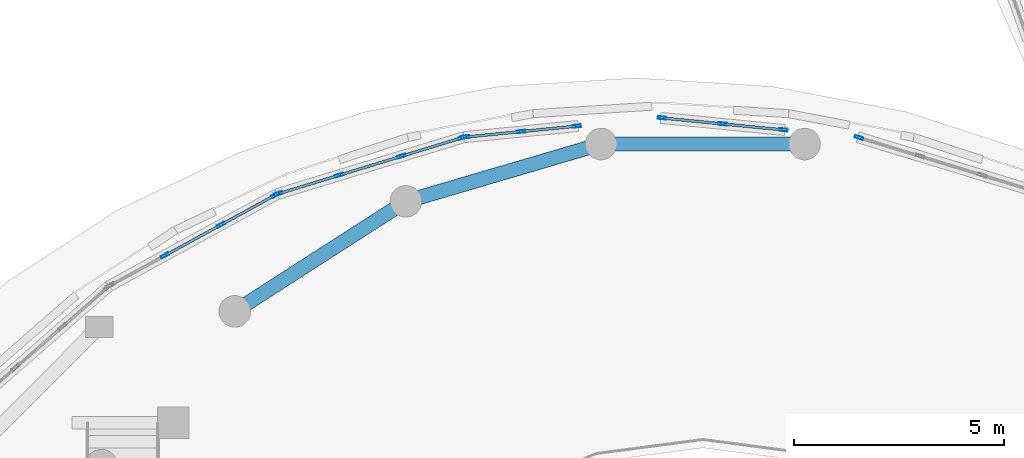
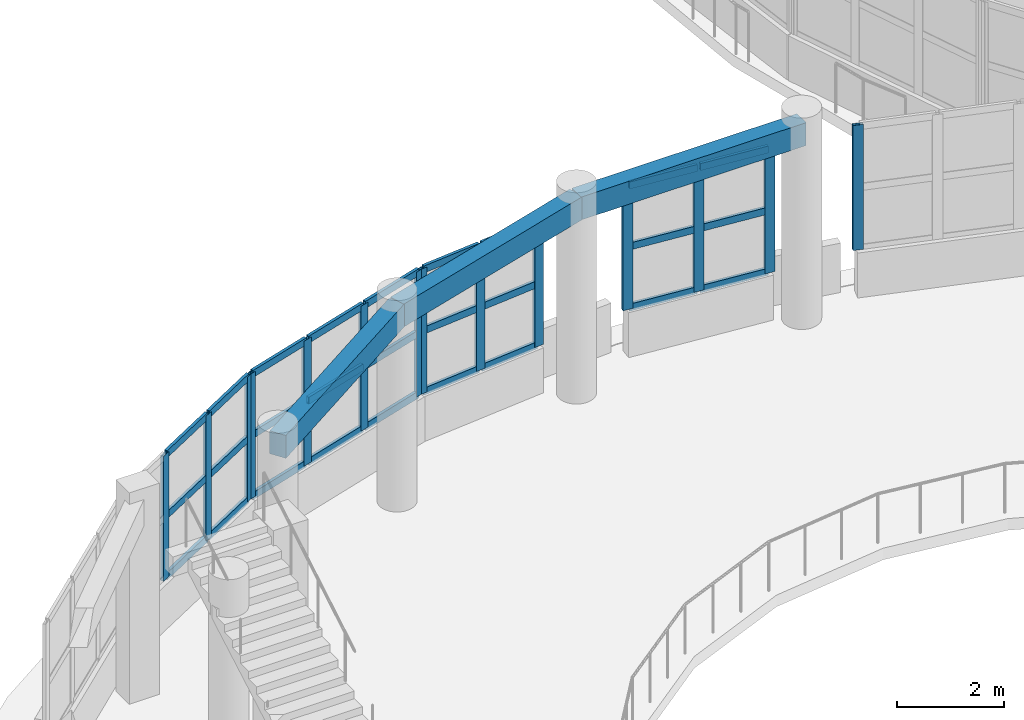
# One storey, part 33 of 98: 41 members, 3 beams, 5 elements without a shape of their own.
"""IFC4 building model written with IfcOpenShell, lengths in metres."""

from ifc_helpers import new_model, si_unit, direction, frame, origin, origin_2d, place, context, subcontext, project, spatial, rectangle, hollow_rectangle, extrude, material, layer, layer_set, material_profile, profile_set, type_object, element, aggregate, save


model = new_model("IFC4")

# Units and contexts
model_context = context("Model", 3, precision=1e-05, world=origin(), true_north=direction((0.0, 1.0)))
body_context = subcontext(model_context, "Body", "Model", "MODEL_VIEW")
ifc_project = project(units=[si_unit("LENGTHUNIT", "METRE"), si_unit("AREAUNIT", "SQUARE_METRE"), si_unit("VOLUMEUNIT", "CUBIC_METRE"), si_unit("PLANEANGLEUNIT", "RADIAN"), si_unit("MASSUNIT", "GRAM", prefix="KILO")], contexts=[model_context])

# Site, building, storey
site_placement = place(None, origin())
site = spatial("IfcSite", under=ifc_project, at=site_placement, CompositionType="ELEMENT")
building_placement = place(site_placement, origin())
building = spatial("IfcBuilding", under=site, at=building_placement, Name="Pelvatis Terrace Science Centre", CompositionType="ELEMENT")
storey_placement = place(building_placement, frame((0.0, 0.0, 5.39990234375)))
storey = spatial("IfcBuildingStorey", under=building, at=storey_placement, Name="L01", CompositionType="ELEMENT", Elevation=5.39990234375)

# Beams
ifc_material_1 = material(Name="Concrete C35/45", Category="concrete")
ifc_material_profile_1 = material_profile(ifc_material_1, rectangle(XDim=0.340087890625, YDim=0.52001953125, at=origin_2d()), Name="RC-BM 340x520")
ifc_profile_set_1 = profile_set([ifc_material_profile_1], Name="Concrete C35/45")
beam_type = type_object("IfcBeamType", Name="BM-RC-340x520", PredefinedType="BEAM", material=ifc_profile_set_1)
beam_placement = place(storey_placement, frame((80.41943359375, 71.427001953125, 4.280029296875), z_axis=(-1.0, 0.0, 0.0), x_axis=(0.0, -1.0, 0.0)))
element("IfcBeam", 1, at=beam_placement, inside=storey, type_object=beam_type, Name="Beam BM-L01-2572", PredefinedType="BEAM", context=body_context, shape_type="SweptSolid", body=[
    extrude(rectangle(XDim=0.340087890625, YDim=0.52001953125, at=origin_2d()), origin(), (0.0, 0.0, 1.0), 4.8388671875),
])
for number, where, z_axis, x_axis, name in (
    (2, (75.58056640625, 71.427001953125, 4.280029296875), (-0.959487536584, -0.281751073006, 0.0), (0.281751073006, -0.959487536584, 0.0), "Beam BM-L01-2573"),
    (3, (70.93798828125, 70.063720703125, 4.280029296875), (-0.841255517216, -0.540637729681, 0.0), (0.540637729681, -0.841255517216, 0.0), "Beam BM-L01-2574"),
):
    element("IfcBeam", number, at=place(storey_placement, frame(where, z_axis=z_axis, x_axis=x_axis)), inside=storey, type_object=beam_type, Name=name, PredefinedType="BEAM", context=body_context, shape_type="SweptSolid", body=[
        extrude(rectangle(XDim=0.340087890625, YDim=0.52001953125, at=origin_2d()), origin(), (0.0, 0.0, 1.0), 4.838623046875),
    ])

# Curtain wall, member
ifc_material_2 = material(Name="Bronze-anodised aluminium and laminated glass", Category="aluminium")
ifc_layer = layer(ifc_material_2, 0.199951171875)
ifc_layer_set = layer_set([ifc_layer], Name="Bronze-anodised aluminium and laminated glass")
curtain_wall_type = type_object("IfcCurtainWallType", Name="CW-RIBBON-B", PredefinedType="NOTDEFINED", material=ifc_layer_set)
curtain_wall_1_placement = place(storey_placement, origin())
curtain_wall_1 = element("IfcCurtainWall", 4, at=curtain_wall_1_placement, inside=storey, type_object=curtain_wall_type, Name="Ribbon curtain wall CW-062 (L01)", PredefinedType="NOTDEFINED")
ifc_material_3 = material(Name="Bronze-anodised aluminium 6063-T6", Category="aluminium")
ifc_material_profile_2 = material_profile(ifc_material_3, hollow_rectangle(XDim=0.06494140625, YDim=0.199951171875, WallThickness=0.00439453125, at=origin_2d()), Name="ALU-MUL 65x200")
ifc_profile_set_2 = profile_set([ifc_material_profile_2], Name="Bronze-anodised aluminium 6063-T6")
member_type_1 = type_object("IfcMemberType", Name="CWM-65x200", PredefinedType="MULLION", material=ifc_profile_set_2)
member_1_placement = place(storey_placement, frame((81.715087890625, 71.580322265625, 1.02001953125), z_axis=(0.0, 0.0, 1.0), x_axis=(-0.291750973492, -0.956494312302, 0.0)))
member_1 = element("IfcMember", 5, at=member_1_placement, type_object=member_type_1, Name="CW-062 mullion 4", PredefinedType="MULLION", context=body_context, shape_type="SweptSolid", body=[
    extrude(hollow_rectangle(XDim=0.06494140625, YDim=0.199951171875, WallThickness=0.00439453125, at=origin_2d()), origin(), (0.0, 0.0, 1.0), 2.840087890625),
])
aggregate(curtain_wall_1, [member_1])

# Curtain wall, members
curtain_wall_2_placement = place(storey_placement, origin())
curtain_wall_2 = element("IfcCurtainWall", 6, at=curtain_wall_2_placement, inside=storey, type_object=curtain_wall_type, Name="Ribbon curtain wall CW-063 (L01)", PredefinedType="NOTDEFINED")
member_2_placement = place(storey_placement, frame((79.917236328125, 71.763427734375, 1.02001953125), z_axis=(0.0, 0.0, 1.0), x_axis=(-0.097743100464, -0.995211679148, 0.0)))
member_2 = element("IfcMember", 7, at=member_2_placement, type_object=member_type_1, Name="CW-063 mullion 1", PredefinedType="MULLION", context=body_context, shape_type="SweptSolid", body=[
    extrude(hollow_rectangle(XDim=0.06494140625, YDim=0.199951171875, WallThickness=0.00439453125, at=origin_2d()), origin(), (0.0, 0.0, 1.0), 2.840087890625),
])
member_3_placement = place(storey_placement, frame((78.474853515625, 71.905029296875, 1.02001953125), z_axis=(0.0, 0.0, 1.0), x_axis=(-0.097743100464, -0.995211679148, 0.0)))
member_3 = element("IfcMember", 8, at=member_3_placement, type_object=member_type_1, Name="CW-063 mullion 2", PredefinedType="MULLION", context=body_context, shape_type="SweptSolid", body=[
    extrude(hollow_rectangle(XDim=0.06494140625, YDim=0.199951171875, WallThickness=0.00439453125, at=origin_2d()), origin(), (0.0, 0.0, 1.0), 2.840087890625),
])
member_4_placement = place(storey_placement, frame((77.0322265625, 72.046875, 1.02001953125), z_axis=(0.0, 0.0, 1.0), x_axis=(-0.097743100464, -0.995211679148, 0.0)))
member_4 = element("IfcMember", 9, at=member_4_placement, type_object=member_type_1, Name="CW-063 mullion 3", PredefinedType="MULLION", context=body_context, shape_type="SweptSolid", body=[
    extrude(hollow_rectangle(XDim=0.06494140625, YDim=0.199951171875, WallThickness=0.00439453125, at=origin_2d()), origin(), (0.0, 0.0, 1.0), 2.840087890625),
])

curtain_wall_3_placement = place(storey_placement, origin())
curtain_wall_3 = element("IfcCurtainWall", 10, at=curtain_wall_3_placement, inside=storey, type_object=curtain_wall_type, Name="Ribbon curtain wall CW-064 (L01)", PredefinedType="NOTDEFINED")
member_5_placement = place(storey_placement, frame((75.003662109375, 71.85400390625, 1.02001953125), z_axis=(0.0, 0.0, 1.0), x_axis=(0.097764703562, -0.995209557198, 0.0)))
member_5 = element("IfcMember", 11, at=member_5_placement, type_object=member_type_1, Name="CW-064 mullion 1", PredefinedType="MULLION", context=body_context, shape_type="SweptSolid", body=[
    extrude(hollow_rectangle(XDim=0.06494140625, YDim=0.199951171875, WallThickness=0.00439453125, at=origin_2d()), origin(), (0.0, 0.0, 1.0), 2.840087890625),
])
member_6_placement = place(storey_placement, frame((73.67578125, 71.723388671875, 1.02001953125), z_axis=(0.0, 0.0, 1.0), x_axis=(0.097764703562, -0.995209557198, 0.0)))
member_6 = element("IfcMember", 12, at=member_6_placement, type_object=member_type_1, Name="CW-064 mullion 2", PredefinedType="MULLION", context=body_context, shape_type="SweptSolid", body=[
    extrude(hollow_rectangle(XDim=0.06494140625, YDim=0.199951171875, WallThickness=0.00439453125, at=origin_2d()), origin(), (0.0, 0.0, 1.0), 2.840087890625),
])
member_7_placement = place(storey_placement, frame((72.34814453125, 71.593017578125, 1.02001953125), z_axis=(0.0, 0.0, 1.0), x_axis=(0.097764703562, -0.995209557198, 0.0)))
member_7 = element("IfcMember", 13, at=member_7_placement, type_object=member_type_1, Name="CW-064 mullion 3", PredefinedType="MULLION", context=body_context, shape_type="SweptSolid", body=[
    extrude(hollow_rectangle(XDim=0.06494140625, YDim=0.199951171875, WallThickness=0.00439453125, at=origin_2d()), origin(), (0.0, 0.0, 1.0), 2.840087890625),
])

curtain_wall_4_placement = place(storey_placement, origin())
curtain_wall_4 = element("IfcCurtainWall", 14, at=curtain_wall_4_placement, inside=storey, type_object=curtain_wall_type, Name="Ribbon curtain wall CW-065 (L01)", PredefinedType="NOTDEFINED")
member_8_placement = place(storey_placement, frame((72.284912109375, 71.580322265625, 1.02001953125), z_axis=(0.0, 0.0, 1.0), x_axis=(0.291750973492, -0.956494312302, 0.0)))
member_8 = element("IfcMember", 15, at=member_8_placement, type_object=member_type_1, Name="CW-065 mullion 1", PredefinedType="MULLION", context=body_context, shape_type="SweptSolid", body=[
    extrude(hollow_rectangle(XDim=0.06494140625, YDim=0.199951171875, WallThickness=0.00439453125, at=origin_2d()), origin(), (0.0, 0.0, 1.0), 2.840087890625),
])
member_9_placement = place(storey_placement, frame((70.832763671875, 71.137451171875, 1.02001953125), z_axis=(0.0, 0.0, 1.0), x_axis=(0.291750973492, -0.956494312302, 0.0)))
member_9 = element("IfcMember", 16, at=member_9_placement, type_object=member_type_1, Name="CW-065 mullion 2", PredefinedType="MULLION", context=body_context, shape_type="SweptSolid", body=[
    extrude(hollow_rectangle(XDim=0.06494140625, YDim=0.199951171875, WallThickness=0.00439453125, at=origin_2d()), origin(), (0.0, 0.0, 1.0), 2.840087890625),
])
member_10_placement = place(storey_placement, frame((69.349853515625, 70.68505859375, 1.02001953125), z_axis=(0.0, 0.0, 1.0), x_axis=(0.291750973492, -0.956494312302, 0.0)))
member_10 = element("IfcMember", 17, at=member_10_placement, type_object=member_type_1, Name="CW-065 mullion 3", PredefinedType="MULLION", context=body_context, shape_type="SweptSolid", body=[
    extrude(hollow_rectangle(XDim=0.06494140625, YDim=0.199951171875, WallThickness=0.00439453125, at=origin_2d()), origin(), (0.0, 0.0, 1.0), 2.840087890625),
])
member_11_placement = place(storey_placement, frame((67.897705078125, 70.2421875, 1.02001953125), z_axis=(0.0, 0.0, 1.0), x_axis=(0.291750973492, -0.956494312302, 0.0)))
member_11 = element("IfcMember", 18, at=member_11_placement, type_object=member_type_1, Name="CW-065 mullion 4", PredefinedType="MULLION", context=body_context, shape_type="SweptSolid", body=[
    extrude(hollow_rectangle(XDim=0.06494140625, YDim=0.199951171875, WallThickness=0.00439453125, at=origin_2d()), origin(), (0.0, 0.0, 1.0), 2.840087890625),
])

curtain_wall_5_placement = place(storey_placement, origin())
curtain_wall_5 = element("IfcCurtainWall", 19, at=curtain_wall_5_placement, inside=storey, type_object=curtain_wall_type, Name="Ribbon curtain wall CW-066 (L01)", PredefinedType="NOTDEFINED")
member_12_placement = place(storey_placement, frame((67.838134765625, 70.21728515625, 1.02001953125), z_axis=(0.0, 0.0, 1.0), x_axis=(0.480406389857, -0.877046008248, 0.0)))
member_12 = element("IfcMember", 20, at=member_12_placement, type_object=member_type_1, Name="CW-066 mullion 1", PredefinedType="MULLION", context=body_context, shape_type="SweptSolid", body=[
    extrude(hollow_rectangle(XDim=0.06494140625, YDim=0.199951171875, WallThickness=0.00439453125, at=origin_2d()), origin(), (0.0, 0.0, 1.0), 2.840087890625),
])
member_13_placement = place(storey_placement, frame((66.536376953125, 69.504150390625, 1.02001953125), z_axis=(0.0, 0.0, 1.0), x_axis=(0.480406389857, -0.877046008248, 0.0)))
member_13 = element("IfcMember", 21, at=member_13_placement, type_object=member_type_1, Name="CW-066 mullion 2", PredefinedType="MULLION", context=body_context, shape_type="SweptSolid", body=[
    extrude(hollow_rectangle(XDim=0.06494140625, YDim=0.199951171875, WallThickness=0.00439453125, at=origin_2d()), origin(), (0.0, 0.0, 1.0), 2.840087890625),
])
member_14_placement = place(storey_placement, frame((65.205810546875, 68.775390625, 1.02001953125), z_axis=(0.0, 0.0, 1.0), x_axis=(0.480406389857, -0.877046008248, 0.0)))
member_14 = element("IfcMember", 22, at=member_14_placement, type_object=member_type_1, Name="CW-066 mullion 3", PredefinedType="MULLION", context=body_context, shape_type="SweptSolid", body=[
    extrude(hollow_rectangle(XDim=0.06494140625, YDim=0.199951171875, WallThickness=0.00439453125, at=origin_2d()), origin(), (0.0, 0.0, 1.0), 2.840087890625),
])

# Member
ifc_material_4 = material(Name="Bronze-anodised aluminium 6063-T6", Category="aluminium")
ifc_material_profile_3 = material_profile(ifc_material_4, hollow_rectangle(XDim=0.06494140625, YDim=0.159912109375, WallThickness=0.00390625, at=origin_2d()), Name="ALU-TRN 65x160")
ifc_profile_set_3 = profile_set([ifc_material_profile_3], Name="Bronze-anodised aluminium 6063-T6")
member_type_2 = type_object("IfcMemberType", Name="CWT-65x160", PredefinedType="USERDEFINED", material=ifc_profile_set_3)
member_15_placement = place(storey_placement, frame((79.885009765625, 71.7666015625, 1.052490234375), z_axis=(-0.995217103069, 0.097687858806, 0.0), x_axis=(-0.097687858806, -0.995217103069, 0.0)))
member_15 = element("IfcMember", 23, at=member_15_placement, type_object=member_type_2, Name="CW-063 transom 1.1", ObjectType="TRANSOM", PredefinedType="USERDEFINED", context=body_context, shape_type="SweptSolid", body=[
    extrude(hollow_rectangle(XDim=0.06494140625, YDim=0.159912109375, WallThickness=0.00390625, at=origin_2d()), origin(), (0.0, 0.0, 1.0), 1.384521484375),
])

member_16_placement = place(storey_placement, frame((79.885009765625, 71.7666015625, 2.440185546875), z_axis=(-0.995217103069, 0.097687858806, 0.0), x_axis=(-0.097687858806, -0.995217103069, 0.0)))
member_16 = element("IfcMember", 24, at=member_16_placement, type_object=member_type_2, Name="CW-063 transom 1.2", ObjectType="TRANSOM", PredefinedType="USERDEFINED", context=body_context, shape_type="SweptSolid", body=[
    extrude(hollow_rectangle(XDim=0.06494140625, YDim=0.159912109375, WallThickness=0.00390625, at=origin_2d()), origin(), (0.0, 0.0, 1.0), 1.384521484375),
])

member_17_placement = place(storey_placement, frame((79.885009765625, 71.7666015625, 3.82763671875), z_axis=(-0.995217103069, 0.097687858806, 0.0), x_axis=(-0.097687858806, -0.995217103069, 0.0)))
member_17 = element("IfcMember", 25, at=member_17_placement, type_object=member_type_2, Name="CW-063 transom 1.3", ObjectType="TRANSOM", PredefinedType="USERDEFINED", context=body_context, shape_type="SweptSolid", body=[
    extrude(hollow_rectangle(XDim=0.06494140625, YDim=0.159912109375, WallThickness=0.00390625, at=origin_2d()), origin(), (0.0, 0.0, 1.0), 1.384521484375),
])

member_18_placement = place(storey_placement, frame((78.442626953125, 71.908447265625, 1.052490234375), z_axis=(-0.995217103069, 0.097687858806, 0.0), x_axis=(-0.097687858806, -0.995217103069, 0.0)))
member_18 = element("IfcMember", 26, at=member_18_placement, type_object=member_type_2, Name="CW-063 transom 2.1", ObjectType="TRANSOM", PredefinedType="USERDEFINED", context=body_context, shape_type="SweptSolid", body=[
    extrude(hollow_rectangle(XDim=0.06494140625, YDim=0.159912109375, WallThickness=0.00390625, at=origin_2d()), origin(), (0.0, 0.0, 1.0), 1.384521484375),
])

member_19_placement = place(storey_placement, frame((78.442626953125, 71.908447265625, 2.440185546875), z_axis=(-0.995217103069, 0.097687858806, 0.0), x_axis=(-0.097687858806, -0.995217103069, 0.0)))
member_19 = element("IfcMember", 27, at=member_19_placement, type_object=member_type_2, Name="CW-063 transom 2.2", ObjectType="TRANSOM", PredefinedType="USERDEFINED", context=body_context, shape_type="SweptSolid", body=[
    extrude(hollow_rectangle(XDim=0.06494140625, YDim=0.159912109375, WallThickness=0.00390625, at=origin_2d()), origin(), (0.0, 0.0, 1.0), 1.384521484375),
])

member_20_placement = place(storey_placement, frame((78.442626953125, 71.908447265625, 3.82763671875), z_axis=(-0.995217103069, 0.097687858806, 0.0), x_axis=(-0.097687858806, -0.995217103069, 0.0)))
member_20 = element("IfcMember", 28, at=member_20_placement, type_object=member_type_2, Name="CW-063 transom 2.3", ObjectType="TRANSOM", PredefinedType="USERDEFINED", context=body_context, shape_type="SweptSolid", body=[
    extrude(hollow_rectangle(XDim=0.06494140625, YDim=0.159912109375, WallThickness=0.00390625, at=origin_2d()), origin(), (0.0, 0.0, 1.0), 1.384521484375),
])

aggregate(curtain_wall_2, [member_2, member_3, member_4, member_15, member_16, member_17, member_18, member_19, member_20])

member_21_placement = place(storey_placement, frame((74.97119140625, 71.850830078125, 1.052490234375), z_axis=(-0.99519403066, -0.097922629346, 0.0), x_axis=(0.097922629346, -0.99519403066, 0.0)))
member_21 = element("IfcMember", 29, at=member_21_placement, type_object=member_type_2, Name="CW-064 transom 1.1", ObjectType="TRANSOM", PredefinedType="USERDEFINED", context=body_context, shape_type="SweptSolid", body=[
    extrude(hollow_rectangle(XDim=0.06494140625, YDim=0.159912109375, WallThickness=0.00390625, at=origin_2d()), origin(), (0.0, 0.0, 1.0), 1.26904296875),
])

member_22_placement = place(storey_placement, frame((74.97119140625, 71.850830078125, 2.440185546875), z_axis=(-0.99519403066, -0.097922629346, 0.0), x_axis=(0.097922629346, -0.99519403066, 0.0)))
member_22 = element("IfcMember", 30, at=member_22_placement, type_object=member_type_2, Name="CW-064 transom 1.2", ObjectType="TRANSOM", PredefinedType="USERDEFINED", context=body_context, shape_type="SweptSolid", body=[
    extrude(hollow_rectangle(XDim=0.06494140625, YDim=0.159912109375, WallThickness=0.00390625, at=origin_2d()), origin(), (0.0, 0.0, 1.0), 1.26904296875),
])

member_23_placement = place(storey_placement, frame((74.97119140625, 71.850830078125, 3.82763671875), z_axis=(-0.99519403066, -0.097922629346, 0.0), x_axis=(0.097922629346, -0.99519403066, 0.0)))
member_23 = element("IfcMember", 31, at=member_23_placement, type_object=member_type_2, Name="CW-064 transom 1.3", ObjectType="TRANSOM", PredefinedType="USERDEFINED", context=body_context, shape_type="SweptSolid", body=[
    extrude(hollow_rectangle(XDim=0.06494140625, YDim=0.159912109375, WallThickness=0.00390625, at=origin_2d()), origin(), (0.0, 0.0, 1.0), 1.26904296875),
])

member_24_placement = place(storey_placement, frame((73.6435546875, 71.72021484375, 1.052490234375), z_axis=(-0.995212760823, -0.097732086313, 0.0), x_axis=(0.097732086313, -0.995212760823, 0.0)))
member_24 = element("IfcMember", 32, at=member_24_placement, type_object=member_type_2, Name="CW-064 transom 2.1", ObjectType="TRANSOM", PredefinedType="USERDEFINED", context=body_context, shape_type="SweptSolid", body=[
    extrude(hollow_rectangle(XDim=0.06494140625, YDim=0.159912109375, WallThickness=0.00390625, at=origin_2d()), origin(), (0.0, 0.0, 1.0), 1.26904296875),
])

member_25_placement = place(storey_placement, frame((73.6435546875, 71.72021484375, 2.440185546875), z_axis=(-0.995212760823, -0.097732086313, 0.0), x_axis=(0.097732086313, -0.995212760823, 0.0)))
member_25 = element("IfcMember", 33, at=member_25_placement, type_object=member_type_2, Name="CW-064 transom 2.2", ObjectType="TRANSOM", PredefinedType="USERDEFINED", context=body_context, shape_type="SweptSolid", body=[
    extrude(hollow_rectangle(XDim=0.06494140625, YDim=0.159912109375, WallThickness=0.00390625, at=origin_2d()), origin(), (0.0, 0.0, 1.0), 1.26904296875),
])

member_26_placement = place(storey_placement, frame((73.6435546875, 71.72021484375, 3.82763671875), z_axis=(-0.995212760823, -0.097732086313, 0.0), x_axis=(0.097732086313, -0.995212760823, 0.0)))
member_26 = element("IfcMember", 34, at=member_26_placement, type_object=member_type_2, Name="CW-064 transom 2.3", ObjectType="TRANSOM", PredefinedType="USERDEFINED", context=body_context, shape_type="SweptSolid", body=[
    extrude(hollow_rectangle(XDim=0.06494140625, YDim=0.159912109375, WallThickness=0.00390625, at=origin_2d()), origin(), (0.0, 0.0, 1.0), 1.26904296875),
])

aggregate(curtain_wall_3, [member_5, member_6, member_7, member_21, member_22, member_23, member_24, member_25, member_26])

member_27_placement = place(storey_placement, frame((72.253662109375, 71.571044921875, 1.052490234375), z_axis=(-0.956455864974, -0.291876991824, 0.0), x_axis=(0.291876991824, -0.956455864974, 0.0)))
member_27 = element("IfcMember", 35, at=member_27_placement, type_object=member_type_2, Name="CW-065 transom 1.1", ObjectType="TRANSOM", PredefinedType="USERDEFINED", context=body_context, shape_type="SweptSolid", body=[
    extrude(hollow_rectangle(XDim=0.06494140625, YDim=0.159912109375, WallThickness=0.00390625, at=origin_2d()), origin(), (0.0, 0.0, 1.0), 1.452880859375),
])

member_28_placement = place(storey_placement, frame((72.253662109375, 71.571044921875, 2.440185546875), z_axis=(-0.956455864974, -0.291876991824, 0.0), x_axis=(0.291876991824, -0.956455864974, 0.0)))
member_28 = element("IfcMember", 36, at=member_28_placement, type_object=member_type_2, Name="CW-065 transom 1.2", ObjectType="TRANSOM", PredefinedType="USERDEFINED", context=body_context, shape_type="SweptSolid", body=[
    extrude(hollow_rectangle(XDim=0.06494140625, YDim=0.159912109375, WallThickness=0.00390625, at=origin_2d()), origin(), (0.0, 0.0, 1.0), 1.452880859375),
])

member_29_placement = place(storey_placement, frame((72.253662109375, 71.571044921875, 3.82763671875), z_axis=(-0.956455864974, -0.291876991824, 0.0), x_axis=(0.291876991824, -0.956455864974, 0.0)))
member_29 = element("IfcMember", 37, at=member_29_placement, type_object=member_type_2, Name="CW-065 transom 1.3", ObjectType="TRANSOM", PredefinedType="USERDEFINED", context=body_context, shape_type="SweptSolid", body=[
    extrude(hollow_rectangle(XDim=0.06494140625, YDim=0.159912109375, WallThickness=0.00390625, at=origin_2d()), origin(), (0.0, 0.0, 1.0), 1.452880859375),
])

member_30_placement = place(storey_placement, frame((70.8017578125, 71.1279296875, 1.052490234375), z_axis=(-0.95650453731, -0.291717449094, 0.0), x_axis=(0.291717449094, -0.95650453731, 0.0)))
member_30 = element("IfcMember", 38, at=member_30_placement, type_object=member_type_2, Name="CW-065 transom 2.1", ObjectType="TRANSOM", PredefinedType="USERDEFINED", context=body_context, shape_type="SweptSolid", body=[
    extrude(hollow_rectangle(XDim=0.06494140625, YDim=0.159912109375, WallThickness=0.00390625, at=origin_2d()), origin(), (0.0, 0.0, 1.0), 1.485595703125),
])

member_31_placement = place(storey_placement, frame((70.8017578125, 71.1279296875, 2.440185546875), z_axis=(-0.95650453731, -0.291717449094, 0.0), x_axis=(0.291717449094, -0.95650453731, 0.0)))
member_31 = element("IfcMember", 39, at=member_31_placement, type_object=member_type_2, Name="CW-065 transom 2.2", ObjectType="TRANSOM", PredefinedType="USERDEFINED", context=body_context, shape_type="SweptSolid", body=[
    extrude(hollow_rectangle(XDim=0.06494140625, YDim=0.159912109375, WallThickness=0.00390625, at=origin_2d()), origin(), (0.0, 0.0, 1.0), 1.485595703125),
])

member_32_placement = place(storey_placement, frame((70.8017578125, 71.1279296875, 3.82763671875), z_axis=(-0.95650453731, -0.291717449094, 0.0), x_axis=(0.291717449094, -0.95650453731, 0.0)))
member_32 = element("IfcMember", 40, at=member_32_placement, type_object=member_type_2, Name="CW-065 transom 2.3", ObjectType="TRANSOM", PredefinedType="USERDEFINED", context=body_context, shape_type="SweptSolid", body=[
    extrude(hollow_rectangle(XDim=0.06494140625, YDim=0.159912109375, WallThickness=0.00390625, at=origin_2d()), origin(), (0.0, 0.0, 1.0), 1.485595703125),
])

member_33_placement = place(storey_placement, frame((69.318603515625, 70.67578125, 1.052490234375), z_axis=(-0.956455864974, -0.291876991824, 0.0), x_axis=(0.291876991824, -0.956455864974, 0.0)))
member_33 = element("IfcMember", 41, at=member_33_placement, type_object=member_type_2, Name="CW-065 transom 3.1", ObjectType="TRANSOM", PredefinedType="USERDEFINED", context=body_context, shape_type="SweptSolid", body=[
    extrude(hollow_rectangle(XDim=0.06494140625, YDim=0.159912109375, WallThickness=0.00390625, at=origin_2d()), origin(), (0.0, 0.0, 1.0), 1.452880859375),
])

member_34_placement = place(storey_placement, frame((69.318603515625, 70.67578125, 2.440185546875), z_axis=(-0.956455864974, -0.291876991824, 0.0), x_axis=(0.291876991824, -0.956455864974, 0.0)))
member_34 = element("IfcMember", 42, at=member_34_placement, type_object=member_type_2, Name="CW-065 transom 3.2", ObjectType="TRANSOM", PredefinedType="USERDEFINED", context=body_context, shape_type="SweptSolid", body=[
    extrude(hollow_rectangle(XDim=0.06494140625, YDim=0.159912109375, WallThickness=0.00390625, at=origin_2d()), origin(), (0.0, 0.0, 1.0), 1.452880859375),
])

member_35_placement = place(storey_placement, frame((69.318603515625, 70.67578125, 3.82763671875), z_axis=(-0.956455864974, -0.291876991824, 0.0), x_axis=(0.291876991824, -0.956455864974, 0.0)))
member_35 = element("IfcMember", 43, at=member_35_placement, type_object=member_type_2, Name="CW-065 transom 3.3", ObjectType="TRANSOM", PredefinedType="USERDEFINED", context=body_context, shape_type="SweptSolid", body=[
    extrude(hollow_rectangle(XDim=0.06494140625, YDim=0.159912109375, WallThickness=0.00390625, at=origin_2d()), origin(), (0.0, 0.0, 1.0), 1.452880859375),
])

aggregate(curtain_wall_4, [member_8, member_9, member_10, member_11, member_27, member_28, member_29, member_30, member_31, member_32, member_33, member_34, member_35])

member_36_placement = place(storey_placement, frame((67.8095703125, 70.20166015625, 1.052490234375), z_axis=(-0.877046229771, -0.480405985438, 0.0), x_axis=(0.480405985438, -0.877046229771, 0.0)))
member_36 = element("IfcMember", 44, at=member_36_placement, type_object=member_type_2, Name="CW-066 transom 1.1", ObjectType="TRANSOM", PredefinedType="USERDEFINED", context=body_context, shape_type="SweptSolid", body=[
    extrude(hollow_rectangle(XDim=0.06494140625, YDim=0.159912109375, WallThickness=0.00390625, at=origin_2d()), origin(), (0.0, 0.0, 1.0), 1.41943359375),
])

member_37_placement = place(storey_placement, frame((67.8095703125, 70.20166015625, 2.440185546875), z_axis=(-0.877046229771, -0.480405985438, 0.0), x_axis=(0.480405985438, -0.877046229771, 0.0)))
member_37 = element("IfcMember", 45, at=member_37_placement, type_object=member_type_2, Name="CW-066 transom 1.2", ObjectType="TRANSOM", PredefinedType="USERDEFINED", context=body_context, shape_type="SweptSolid", body=[
    extrude(hollow_rectangle(XDim=0.06494140625, YDim=0.159912109375, WallThickness=0.00390625, at=origin_2d()), origin(), (0.0, 0.0, 1.0), 1.41943359375),
])

member_38_placement = place(storey_placement, frame((67.8095703125, 70.20166015625, 3.82763671875), z_axis=(-0.877046229771, -0.480405985438, 0.0), x_axis=(0.480405985438, -0.877046229771, 0.0)))
member_38 = element("IfcMember", 46, at=member_38_placement, type_object=member_type_2, Name="CW-066 transom 1.3", ObjectType="TRANSOM", PredefinedType="USERDEFINED", context=body_context, shape_type="SweptSolid", body=[
    extrude(hollow_rectangle(XDim=0.06494140625, YDim=0.159912109375, WallThickness=0.00390625, at=origin_2d()), origin(), (0.0, 0.0, 1.0), 1.41943359375),
])

member_39_placement = place(storey_placement, frame((66.5078125, 69.488525390625, 1.052490234375), z_axis=(-0.877052412621, -0.480394697634, 0.0), x_axis=(0.480394697634, -0.877052412621, 0.0)))
member_39 = element("IfcMember", 47, at=member_39_placement, type_object=member_type_2, Name="CW-066 transom 2.1", ObjectType="TRANSOM", PredefinedType="USERDEFINED", context=body_context, shape_type="SweptSolid", body=[
    extrude(hollow_rectangle(XDim=0.06494140625, YDim=0.159912109375, WallThickness=0.00390625, at=origin_2d()), origin(), (0.0, 0.0, 1.0), 1.451904296875),
])

member_40_placement = place(storey_placement, frame((66.5078125, 69.488525390625, 2.440185546875), z_axis=(-0.877052412621, -0.480394697634, 0.0), x_axis=(0.480394697634, -0.877052412621, 0.0)))
member_40 = element("IfcMember", 48, at=member_40_placement, type_object=member_type_2, Name="CW-066 transom 2.2", ObjectType="TRANSOM", PredefinedType="USERDEFINED", context=body_context, shape_type="SweptSolid", body=[
    extrude(hollow_rectangle(XDim=0.06494140625, YDim=0.159912109375, WallThickness=0.00390625, at=origin_2d()), origin(), (0.0, 0.0, 1.0), 1.451904296875),
])

member_41_placement = place(storey_placement, frame((66.5078125, 69.488525390625, 3.82763671875), z_axis=(-0.877052412621, -0.480394697634, 0.0), x_axis=(0.480394697634, -0.877052412621, 0.0)))
member_41 = element("IfcMember", 49, at=member_41_placement, type_object=member_type_2, Name="CW-066 transom 2.3", ObjectType="TRANSOM", PredefinedType="USERDEFINED", context=body_context, shape_type="SweptSolid", body=[
    extrude(hollow_rectangle(XDim=0.06494140625, YDim=0.159912109375, WallThickness=0.00390625, at=origin_2d()), origin(), (0.0, 0.0, 1.0), 1.451904296875),
])

aggregate(curtain_wall_5, [member_12, member_13, member_14, member_36, member_37, member_38, member_39, member_40, member_41])

save(model, "model.ifc")
